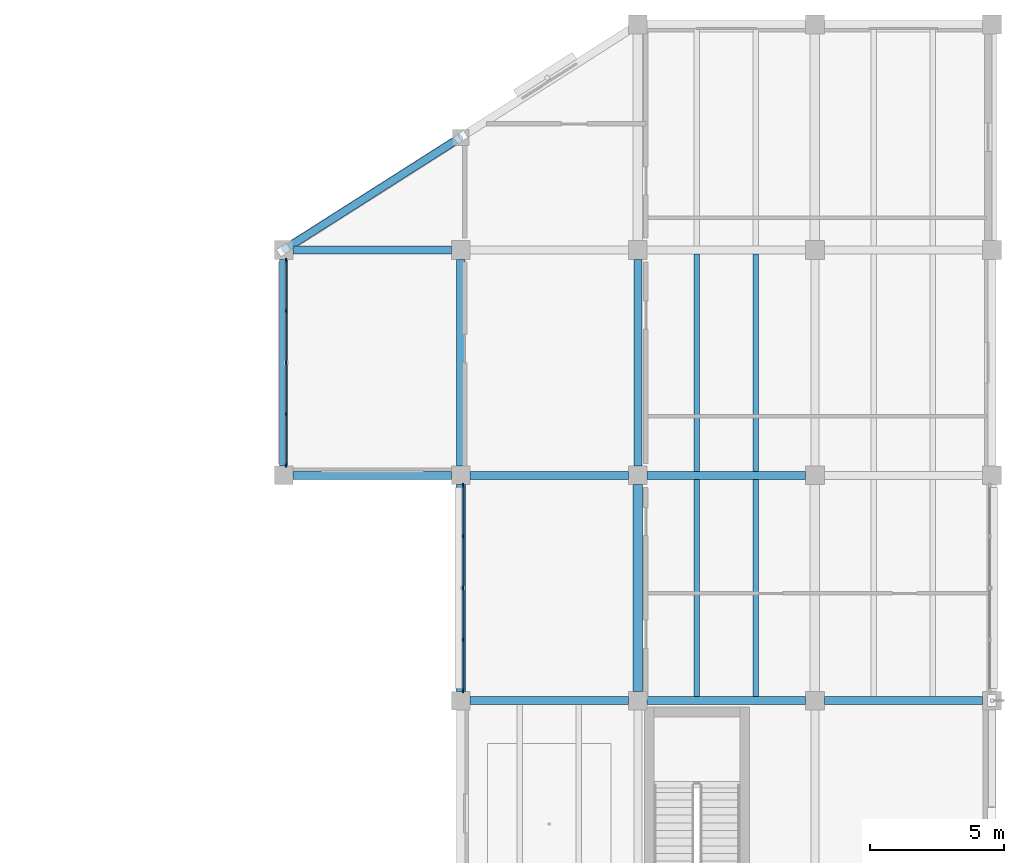
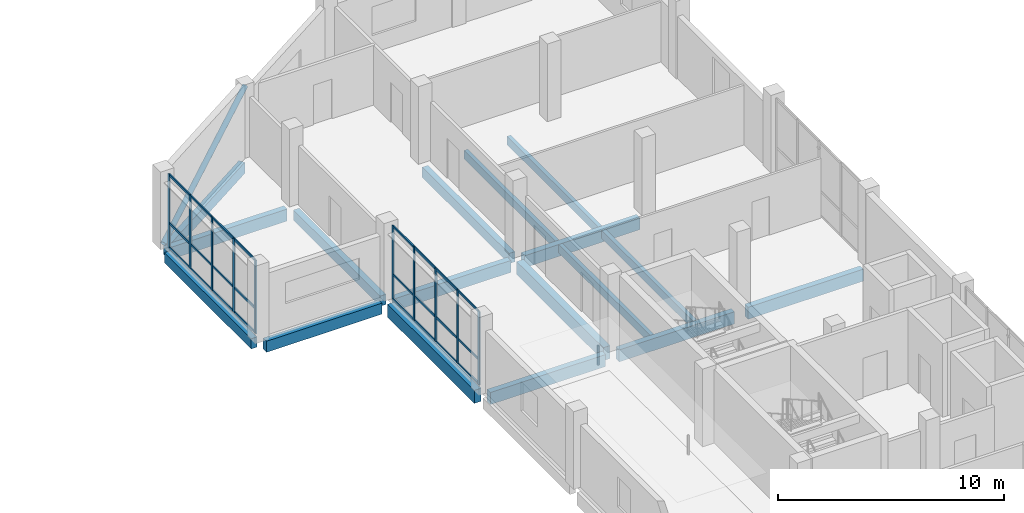
# One storey, part 4 of 19: 35 members, 17 beams, 2 elements without a shape of their own.
"""IFC4 building model written with IfcOpenShell, lengths in metres."""

from ifc_helpers import new_model, si_unit, direction, frame, origin, origin_2d, place, context, subcontext, project, spatial, rectangle, hollow_circle, extrude, material, material_profile, profile_set, type_object, element, aggregate, save


model = new_model("IFC4")

# Units and contexts
model_context = context("Model", 3, precision=1e-05, world=origin(), true_north=direction((0.0, 1.0)))
body_context = subcontext(model_context, "Body", "Model", "MODEL_VIEW")
ifc_project = project(units=[si_unit("LENGTHUNIT", "METRE"), si_unit("AREAUNIT", "SQUARE_METRE"), si_unit("VOLUMEUNIT", "CUBIC_METRE"), si_unit("PLANEANGLEUNIT", "RADIAN"), si_unit("MASSUNIT", "GRAM", prefix="KILO")], contexts=[model_context])

# Site, building, storey
site_placement = place(None, origin())
site = spatial("IfcSite", under=ifc_project, at=site_placement, CompositionType="ELEMENT")
building_placement = place(site_placement, origin())
building = spatial("IfcBuilding", under=site, at=building_placement, Name="Qaldarim Faculty of Natural and Applied Sciences", CompositionType="ELEMENT")
storey_placement = place(building_placement, frame((0.0, 0.0, 27.0)))
storey = spatial("IfcBuildingStorey", under=building, at=storey_placement, Name="L06", CompositionType="ELEMENT", Elevation=27.0)

# Beams
ifc_material_1 = material(Name="Concrete C40/50", Category="concrete")
ifc_material_profile_1 = material_profile(ifc_material_1, rectangle(XDim=0.300048828125, YDim=0.550048828125, at=origin_2d()), Name="RC-B300x550")
ifc_profile_set_1 = profile_set([ifc_material_profile_1], Name="Concrete C40/50")
beam_type_1 = type_object("IfcBeamType", Name="FloorBeam-RC300x550", PredefinedType="BEAM", material=ifc_profile_set_1)
for number, where, z_axis, x_axis, name in (
    (1, (151.800048828125, 42.35009765625, -0.4951171875), (0.0, 1.0, 0.0), (-1.0, 0.0, 0.0), "Beam RC-B300x550 L05 X24/Y06-Y07"),
    (2, (158.39990234375, 42.35009765625, -0.4951171875), (0.0, 1.0, 0.0), (-1.0, 0.0, 0.0), "Beam RC-B300x550 L05 X25/Y06-Y07"),
    (3, (165.0, 42.35009765625, -0.4951171875), (0.0, 1.0, 0.0), (-1.0, 0.0, 0.0), "Beam RC-B300x550 L05 X26/Y06-Y07"),
):
    element("IfcBeam", number, at=place(storey_placement, frame(where, z_axis=z_axis, x_axis=x_axis)), inside=storey, type_object=beam_type_1, Name=name, PredefinedType="BEAM", context=body_context, shape_type="SweptSolid", body=[
        extrude(rectangle(XDim=0.300048828125, YDim=0.550048828125, at=origin_2d()), origin(), (0.0, 0.0, 1.0), 7.699951171875),
    ])
ifc_material_profile_2 = material_profile(ifc_material_1, rectangle(XDim=0.199951171875, YDim=0.449951171875, at=origin_2d()), Name="RC-J200x450")
ifc_profile_set_2 = profile_set([ifc_material_profile_2], Name="Concrete C40/50")
beam_type_2 = type_object("IfcBeamType", Name="LabJoist-RC200x450", PredefinedType="JOIST", material=ifc_profile_set_2)
for number, where, z_axis, x_axis, name in (
    (4, (167.199951171875, 33.75, -0.445068359375), (0.0, 1.0, 0.0), (-1.0, 0.0, 0.0), "Laboratory joist L05 bay X26Y05-1"),
    (5, (169.39990234375, 33.75, -0.445068359375), (0.0, 1.0, 0.0), (-1.0, 0.0, 0.0), "Laboratory joist L05 bay X26Y05-2"),
    (6, (167.199951171875, 42.14990234375, -0.445068359375), (0.0, 1.0, 0.0), (-1.0, 0.0, 0.0), "Laboratory joist L05 bay X26Y06-1"),
    (7, (169.39990234375, 42.14990234375, -0.445068359375), (0.0, 1.0, 0.0), (-1.0, 0.0, 0.0), "Laboratory joist L05 bay X26Y06-2"),
):
    element("IfcBeam", number, at=place(storey_placement, frame(where, z_axis=z_axis, x_axis=x_axis)), inside=storey, type_object=beam_type_2, Name=name, PredefinedType="JOIST", context=body_context, shape_type="SweptSolid", body=[
        extrude(rectangle(XDim=0.199951171875, YDim=0.449951171875, at=origin_2d()), origin(), (0.0, 0.0, 1.0), 8.10009765625),
    ])

# Curtain wall, members
ifc_material_2 = material(Name="Anodised aluminium AW-6063", Category="aluminium")
curtain_wall_type = type_object("IfcCurtainWallType", Name="CurtainWallSystem-M1800", PredefinedType="USERDEFINED", material=ifc_material_2)
curtain_wall_1_placement = place(storey_placement, origin())
curtain_wall_1 = element("IfcCurtainWall", 8, at=curtain_wall_1_placement, inside=storey, type_object=curtain_wall_type, Name="Curtain wall CW-L06-W-X24Y06", ObjectType="UNITISED FACADE", PredefinedType="USERDEFINED")
ifc_material_profile_3 = material_profile(ifc_material_2, rectangle(XDim=0.06005859375, YDim=0.14990234375, at=origin_2d()), Name="ALU-M60x150")
ifc_profile_set_3 = profile_set([ifc_material_profile_3], Name="Anodised aluminium AW-6063")
member_type_1 = type_object("IfcMemberType", Name="Mullion-ALU60x150", PredefinedType="MULLION", material=ifc_profile_set_3)
member_1_placement = place(storey_placement, frame((151.8798828125, 50.02490234375, 0.0), z_axis=(0.0, 0.0, 1.0), x_axis=(1.0, 0.0, 0.0)))
member_1 = element("IfcMember", 9, at=member_1_placement, type_object=member_type_1, Name="Mullion 1 of CW-L06-W-X24Y06", PredefinedType="MULLION", context=body_context, shape_type="SweptSolid", body=[
    extrude(rectangle(XDim=0.06005859375, YDim=0.14990234375, at=origin_2d()), origin(), (0.0, 0.0, 1.0), 3.97998046875),
])
member_2_placement = place(storey_placement, frame((151.8798828125, 48.12744140625, 0.0), z_axis=(0.0, 0.0, 1.0), x_axis=(1.0, 0.0, 0.0)))
member_2 = element("IfcMember", 10, at=member_2_placement, type_object=member_type_1, Name="Mullion 2 of CW-L06-W-X24Y06", PredefinedType="MULLION", context=body_context, shape_type="SweptSolid", body=[
    extrude(rectangle(XDim=0.06005859375, YDim=0.14990234375, at=origin_2d()), origin(), (0.0, 0.0, 1.0), 3.97998046875),
])
member_3_placement = place(storey_placement, frame((151.8798828125, 46.199951171875, 0.0), z_axis=(0.0, 0.0, 1.0), x_axis=(1.0, 0.0, 0.0)))
member_3 = element("IfcMember", 11, at=member_3_placement, type_object=member_type_1, Name="Mullion 3 of CW-L06-W-X24Y06", PredefinedType="MULLION", context=body_context, shape_type="SweptSolid", body=[
    extrude(rectangle(XDim=0.06005859375, YDim=0.14990234375, at=origin_2d()), origin(), (0.0, 0.0, 1.0), 3.97998046875),
])
member_4_placement = place(storey_placement, frame((151.8798828125, 44.2724609375, 0.0), z_axis=(0.0, 0.0, 1.0), x_axis=(1.0, 0.0, 0.0)))
member_4 = element("IfcMember", 12, at=member_4_placement, type_object=member_type_1, Name="Mullion 4 of CW-L06-W-X24Y06", PredefinedType="MULLION", context=body_context, shape_type="SweptSolid", body=[
    extrude(rectangle(XDim=0.06005859375, YDim=0.14990234375, at=origin_2d()), origin(), (0.0, 0.0, 1.0), 3.97998046875),
])
member_5_placement = place(storey_placement, frame((151.8798828125, 42.375, 0.0), z_axis=(0.0, 0.0, 1.0), x_axis=(1.0, 0.0, 0.0)))
member_5 = element("IfcMember", 13, at=member_5_placement, type_object=member_type_1, Name="Mullion 5 of CW-L06-W-X24Y06", PredefinedType="MULLION", context=body_context, shape_type="SweptSolid", body=[
    extrude(rectangle(XDim=0.06005859375, YDim=0.14990234375, at=origin_2d()), origin(), (0.0, 0.0, 1.0), 3.97998046875),
])

curtain_wall_2_placement = place(storey_placement, origin())
curtain_wall_2 = element("IfcCurtainWall", 14, at=curtain_wall_2_placement, inside=storey, type_object=curtain_wall_type, Name="Curtain wall CW-L06-W-X25Y05", ObjectType="UNITISED FACADE", PredefinedType="USERDEFINED")
member_6_placement = place(storey_placement, frame((158.47998046875, 41.625, 0.0), z_axis=(0.0, 0.0, 1.0), x_axis=(1.0, 0.0, 0.0)))
member_6 = element("IfcMember", 15, at=member_6_placement, type_object=member_type_1, Name="Mullion 1 of CW-L06-W-X25Y05", PredefinedType="MULLION", context=body_context, shape_type="SweptSolid", body=[
    extrude(rectangle(XDim=0.06005859375, YDim=0.14990234375, at=origin_2d()), origin(), (0.0, 0.0, 1.0), 3.97998046875),
])
member_7_placement = place(storey_placement, frame((158.47998046875, 39.7275390625, 0.0), z_axis=(0.0, 0.0, 1.0), x_axis=(1.0, 0.0, 0.0)))
member_7 = element("IfcMember", 16, at=member_7_placement, type_object=member_type_1, Name="Mullion 2 of CW-L06-W-X25Y05", PredefinedType="MULLION", context=body_context, shape_type="SweptSolid", body=[
    extrude(rectangle(XDim=0.06005859375, YDim=0.14990234375, at=origin_2d()), origin(), (0.0, 0.0, 1.0), 3.97998046875),
])
member_8_placement = place(storey_placement, frame((158.47998046875, 37.800048828125, 0.0), z_axis=(0.0, 0.0, 1.0), x_axis=(1.0, 0.0, 0.0)))
member_8 = element("IfcMember", 17, at=member_8_placement, type_object=member_type_1, Name="Mullion 3 of CW-L06-W-X25Y05", PredefinedType="MULLION", context=body_context, shape_type="SweptSolid", body=[
    extrude(rectangle(XDim=0.06005859375, YDim=0.14990234375, at=origin_2d()), origin(), (0.0, 0.0, 1.0), 3.97998046875),
])
member_9_placement = place(storey_placement, frame((158.47998046875, 35.87255859375, 0.0), z_axis=(0.0, 0.0, 1.0), x_axis=(1.0, 0.0, 0.0)))
member_9 = element("IfcMember", 18, at=member_9_placement, type_object=member_type_1, Name="Mullion 4 of CW-L06-W-X25Y05", PredefinedType="MULLION", context=body_context, shape_type="SweptSolid", body=[
    extrude(rectangle(XDim=0.06005859375, YDim=0.14990234375, at=origin_2d()), origin(), (0.0, 0.0, 1.0), 3.97998046875),
])
member_10_placement = place(storey_placement, frame((158.47998046875, 33.97509765625, 0.0), z_axis=(0.0, 0.0, 1.0), x_axis=(1.0, 0.0, 0.0)))
member_10 = element("IfcMember", 19, at=member_10_placement, type_object=member_type_1, Name="Mullion 5 of CW-L06-W-X25Y05", PredefinedType="MULLION", context=body_context, shape_type="SweptSolid", body=[
    extrude(rectangle(XDim=0.06005859375, YDim=0.14990234375, at=origin_2d()), origin(), (0.0, 0.0, 1.0), 3.97998046875),
])

# Member
ifc_material_3 = material(Name="Structural steel S355", Category="steel")
ifc_material_profile_4 = material_profile(ifc_material_3, hollow_circle(Radius=0.136474609375, WallThickness=0.01611328125, at=origin_2d()), Name="CHS 273.0x16.0")
ifc_profile_set_4 = profile_set([ifc_material_profile_4], Name="Structural steel S355")
member_type_2 = type_object("IfcMemberType", Name="PortalBrace-CHS273x16", PredefinedType="BRACE", material=ifc_profile_set_4)
member_11_placement = place(storey_placement, frame((151.800048828125, 50.39990234375, 0.0), z_axis=(0.763401641774, 0.485834418862, 0.42565578909), x_axis=(-0.536901743335, 0.843644781886, 0.0)))
element("IfcMember", 20, at=member_11_placement, inside=storey, type_object=member_type_2, Name="Oblique NW chamfer diagrid brace L06", PredefinedType="BRACE", context=body_context, shape_type="SweptSolid", body=[
    extrude(hollow_circle(Radius=0.136474609375, WallThickness=0.01611328125, at=origin_2d()), origin(), (0.0, 0.0, 1.0), 8.645263671875),
])

# Beams
ifc_material_profile_5 = material_profile(ifc_material_1, rectangle(XDim=0.300048828125, YDim=0.64990234375, at=origin_2d()), Name="RC-B300x650")
ifc_profile_set_5 = profile_set([ifc_material_profile_5], Name="Concrete C40/50")
beam_type_3 = type_object("IfcBeamType", Name="PrimaryBeam-RC300x650", PredefinedType="BEAM", material=ifc_profile_set_5)
for number, where, z_axis, x_axis, name in (
    (21, (158.75, 33.60009765625, -0.544921875), (1.0, 0.0, 0.0), (0.0, 1.0, 0.0), "Beam RC-B300x650 L05 X25-X26/Y05"),
    (22, (165.35009765625, 33.60009765625, -0.544921875), (1.0, 0.0, 0.0), (0.0, 1.0, 0.0), "Beam RC-B300x650 L05 X26-X27/Y05"),
):
    element("IfcBeam", number, at=place(storey_placement, frame(where, z_axis=z_axis, x_axis=x_axis)), inside=storey, type_object=beam_type_3, Name=name, PredefinedType="BEAM", context=body_context, shape_type="SweptSolid", body=[
        extrude(rectangle(XDim=0.300048828125, YDim=0.64990234375, at=origin_2d()), origin(), (0.0, 0.0, 1.0), 5.89990234375),
    ])
beam_1_placement = place(storey_placement, frame((171.949951171875, 33.60009765625, -0.544921875), z_axis=(1.0, 0.0, 0.0), x_axis=(0.0, 1.0, 0.0)))
element("IfcBeam", 23, at=beam_1_placement, inside=storey, type_object=beam_type_3, Name="Beam RC-B300x650 L05 X27-X28/Y05", PredefinedType="BEAM", context=body_context, shape_type="SweptSolid", body=[
    extrude(rectangle(XDim=0.300048828125, YDim=0.64990234375, at=origin_2d()), origin(), (0.0, 0.0, 1.0), 5.900146484375),
])
for number, where, z_axis, x_axis, name in (
    (24, (158.75, 42.0, -0.544921875), (1.0, 0.0, 0.0), (0.0, 1.0, 0.0), "Beam RC-B300x650 L05 X25-X26/Y06"),
    (25, (165.35009765625, 42.0, -0.544921875), (1.0, 0.0, 0.0), (0.0, 1.0, 0.0), "Beam RC-B300x650 L05 X26-X27/Y06"),
):
    element("IfcBeam", number, at=place(storey_placement, frame(where, z_axis=z_axis, x_axis=x_axis)), inside=storey, type_object=beam_type_3, Name=name, PredefinedType="BEAM", context=body_context, shape_type="SweptSolid", body=[
        extrude(rectangle(XDim=0.300048828125, YDim=0.64990234375, at=origin_2d()), origin(), (0.0, 0.0, 1.0), 5.89990234375),
    ])
beam_2_placement = place(storey_placement, frame((152.14990234375, 50.39990234375, -0.544921875), z_axis=(1.0, 0.0, 0.0), x_axis=(0.0, 1.0, 0.0)))
element("IfcBeam", 26, at=beam_2_placement, inside=storey, type_object=beam_type_3, Name="Beam RC-B300x650 L05 X24-X25/Y07", PredefinedType="BEAM", context=body_context, shape_type="SweptSolid", body=[
    extrude(rectangle(XDim=0.300048828125, YDim=0.64990234375, at=origin_2d()), origin(), (0.0, 0.0, 1.0), 5.900146484375),
])
ifc_material_profile_6 = material_profile(ifc_material_1, rectangle(XDim=0.35009765625, YDim=0.699951171875, at=origin_2d()), Name="RC-B350x700")
ifc_profile_set_6 = profile_set([ifc_material_profile_6], Name="Concrete C40/50")
beam_type_4 = type_object("IfcBeamType", Name="PrimaryGirder-RC350x700", PredefinedType="BEAM", material=ifc_profile_set_6)
for number, where, z_axis, x_axis, name in (
    (27, (158.39990234375, 33.949951171875, -0.570068359375), (0.0, 1.0, 0.0), (-1.0, 0.0, 0.0), "Beam RC-B350x700 L05 X25/Y05-Y06"),
    (28, (165.0, 33.949951171875, -0.570068359375), (0.0, 1.0, 0.0), (-1.0, 0.0, 0.0), "Beam RC-B350x700 L05 X26/Y05-Y06"),
):
    element("IfcBeam", number, at=place(storey_placement, frame(where, z_axis=z_axis, x_axis=x_axis)), inside=storey, type_object=beam_type_4, Name=name, PredefinedType="BEAM", context=body_context, shape_type="SweptSolid", body=[
        extrude(rectangle(XDim=0.35009765625, YDim=0.699951171875, at=origin_2d()), origin(), (0.0, 0.0, 1.0), 7.699951171875),
    ])
ifc_material_4 = material(Name="Precast concrete C40/50", Category="concrete")
ifc_material_profile_7 = material_profile(ifc_material_4, rectangle(XDim=0.300048828125, YDim=0.60009765625, at=origin_2d()), Name="RC-SP300x600")
ifc_profile_set_7 = profile_set([ifc_material_profile_7], Name="Precast concrete C40/50")
beam_type_5 = type_object("IfcBeamType", Name="SpandrelBeam-RC300x600", PredefinedType="SPANDREL", material=ifc_profile_set_7)
beam_3_placement = place(storey_placement, frame((152.14990234375, 42.0, -0.52001953125), z_axis=(1.0, 0.0, 0.0), x_axis=(0.0, 1.0, 0.0)))
element("IfcBeam", 29, at=beam_3_placement, inside=storey, type_object=beam_type_5, Name="Beam RC-SP300x600 L05 X24-X25/Y06", PredefinedType="SPANDREL", context=body_context, shape_type="SweptSolid", body=[
    extrude(rectangle(XDim=0.300048828125, YDim=0.60009765625, at=origin_2d()), origin(), (0.0, 0.0, 1.0), 5.900146484375),
])
beam_4_placement = place(storey_placement, frame((152.050048828125, 50.56005859375, -0.52001953125), z_axis=(0.843776886751, 0.536694107835, 0.0), x_axis=(-0.536694107835, 0.843776886751, 0.0)))
element("IfcBeam", 30, at=beam_4_placement, inside=storey, type_object=beam_type_5, Name="Oblique NW chamfer spandrel L05 1", PredefinedType="SPANDREL", context=body_context, shape_type="SweptSolid", body=[
    extrude(rectangle(XDim=0.300048828125, YDim=0.60009765625, at=origin_2d()), origin(), (0.0, 0.0, 1.0), 7.229248046875),
])

# Member
ifc_material_profile_8 = material_profile(ifc_material_2, rectangle(XDim=0.06005859375, YDim=0.1201171875, at=origin_2d()), Name="ALU-T60x120")
ifc_profile_set_8 = profile_set([ifc_material_profile_8], Name="Anodised aluminium AW-6063")
member_type_3 = type_object("IfcMemberType", Name="Transom-ALU60x120", PredefinedType="USERDEFINED", material=ifc_profile_set_8)
member_12_placement = place(storey_placement, frame((151.8798828125, 49.9951171875, 0.030029296875), z_axis=(0.0, -1.0, 0.0), x_axis=(1.0, 0.0, 0.0)))
member_12 = element("IfcMember", 31, at=member_12_placement, type_object=member_type_3, Name="Transom 1-1 of CW-L06-W-X24Y06", ObjectType="TRANSOM", PredefinedType="USERDEFINED", context=body_context, shape_type="SweptSolid", body=[
    extrude(rectangle(XDim=0.06005859375, YDim=0.1201171875, at=origin_2d()), origin(), (0.0, 0.0, 1.0), 1.837646484375),
])

member_13_placement = place(storey_placement, frame((151.8798828125, 49.9951171875, 1.35009765625), z_axis=(0.0, -1.0, 0.0), x_axis=(1.0, 0.0, 0.0)))
member_13 = element("IfcMember", 32, at=member_13_placement, type_object=member_type_3, Name="Transom 1-2 of CW-L06-W-X24Y06", ObjectType="TRANSOM", PredefinedType="USERDEFINED", context=body_context, shape_type="SweptSolid", body=[
    extrude(rectangle(XDim=0.06005859375, YDim=0.1201171875, at=origin_2d()), origin(), (0.0, 0.0, 1.0), 1.837646484375),
])

member_14_placement = place(storey_placement, frame((151.8798828125, 49.9951171875, 3.949951171875), z_axis=(0.0, -1.0, 0.0), x_axis=(1.0, 0.0, 0.0)))
member_14 = element("IfcMember", 33, at=member_14_placement, type_object=member_type_3, Name="Transom 1-3 of CW-L06-W-X24Y06", ObjectType="TRANSOM", PredefinedType="USERDEFINED", context=body_context, shape_type="SweptSolid", body=[
    extrude(rectangle(XDim=0.06005859375, YDim=0.1201171875, at=origin_2d()), origin(), (0.0, 0.0, 1.0), 1.837646484375),
])

member_15_placement = place(storey_placement, frame((151.8798828125, 48.097412109375, 0.030029296875), z_axis=(0.0, -1.0, 0.0), x_axis=(1.0, 0.0, 0.0)))
member_15 = element("IfcMember", 34, at=member_15_placement, type_object=member_type_3, Name="Transom 2-1 of CW-L06-W-X24Y06", ObjectType="TRANSOM", PredefinedType="USERDEFINED", context=body_context, shape_type="SweptSolid", body=[
    extrude(rectangle(XDim=0.06005859375, YDim=0.1201171875, at=origin_2d()), origin(), (0.0, 0.0, 1.0), 1.867431640625),
])

member_16_placement = place(storey_placement, frame((151.8798828125, 48.097412109375, 1.35009765625), z_axis=(0.0, -1.0, 0.0), x_axis=(1.0, 0.0, 0.0)))
member_16 = element("IfcMember", 35, at=member_16_placement, type_object=member_type_3, Name="Transom 2-2 of CW-L06-W-X24Y06", ObjectType="TRANSOM", PredefinedType="USERDEFINED", context=body_context, shape_type="SweptSolid", body=[
    extrude(rectangle(XDim=0.06005859375, YDim=0.1201171875, at=origin_2d()), origin(), (0.0, 0.0, 1.0), 1.867431640625),
])

member_17_placement = place(storey_placement, frame((151.8798828125, 48.097412109375, 3.949951171875), z_axis=(0.0, -1.0, 0.0), x_axis=(1.0, 0.0, 0.0)))
member_17 = element("IfcMember", 36, at=member_17_placement, type_object=member_type_3, Name="Transom 2-3 of CW-L06-W-X24Y06", ObjectType="TRANSOM", PredefinedType="USERDEFINED", context=body_context, shape_type="SweptSolid", body=[
    extrude(rectangle(XDim=0.06005859375, YDim=0.1201171875, at=origin_2d()), origin(), (0.0, 0.0, 1.0), 1.867431640625),
])

member_18_placement = place(storey_placement, frame((151.8798828125, 46.169921875, 0.030029296875), z_axis=(0.0, -1.0, 0.0), x_axis=(1.0, 0.0, 0.0)))
member_18 = element("IfcMember", 37, at=member_18_placement, type_object=member_type_3, Name="Transom 3-1 of CW-L06-W-X24Y06", ObjectType="TRANSOM", PredefinedType="USERDEFINED", context=body_context, shape_type="SweptSolid", body=[
    extrude(rectangle(XDim=0.06005859375, YDim=0.1201171875, at=origin_2d()), origin(), (0.0, 0.0, 1.0), 1.867431640625),
])

member_19_placement = place(storey_placement, frame((151.8798828125, 46.169921875, 1.35009765625), z_axis=(0.0, -1.0, 0.0), x_axis=(1.0, 0.0, 0.0)))
member_19 = element("IfcMember", 38, at=member_19_placement, type_object=member_type_3, Name="Transom 3-2 of CW-L06-W-X24Y06", ObjectType="TRANSOM", PredefinedType="USERDEFINED", context=body_context, shape_type="SweptSolid", body=[
    extrude(rectangle(XDim=0.06005859375, YDim=0.1201171875, at=origin_2d()), origin(), (0.0, 0.0, 1.0), 1.867431640625),
])

member_20_placement = place(storey_placement, frame((151.8798828125, 46.169921875, 3.949951171875), z_axis=(0.0, -1.0, 0.0), x_axis=(1.0, 0.0, 0.0)))
member_20 = element("IfcMember", 39, at=member_20_placement, type_object=member_type_3, Name="Transom 3-3 of CW-L06-W-X24Y06", ObjectType="TRANSOM", PredefinedType="USERDEFINED", context=body_context, shape_type="SweptSolid", body=[
    extrude(rectangle(XDim=0.06005859375, YDim=0.1201171875, at=origin_2d()), origin(), (0.0, 0.0, 1.0), 1.867431640625),
])

member_21_placement = place(storey_placement, frame((151.8798828125, 44.242431640625, 0.030029296875), z_axis=(0.0, -1.0, 0.0), x_axis=(1.0, 0.0, 0.0)))
member_21 = element("IfcMember", 40, at=member_21_placement, type_object=member_type_3, Name="Transom 4-1 of CW-L06-W-X24Y06", ObjectType="TRANSOM", PredefinedType="USERDEFINED", context=body_context, shape_type="SweptSolid", body=[
    extrude(rectangle(XDim=0.06005859375, YDim=0.1201171875, at=origin_2d()), origin(), (0.0, 0.0, 1.0), 1.83740234375),
])

member_22_placement = place(storey_placement, frame((151.8798828125, 44.242431640625, 1.35009765625), z_axis=(0.0, -1.0, 0.0), x_axis=(1.0, 0.0, 0.0)))
member_22 = element("IfcMember", 41, at=member_22_placement, type_object=member_type_3, Name="Transom 4-2 of CW-L06-W-X24Y06", ObjectType="TRANSOM", PredefinedType="USERDEFINED", context=body_context, shape_type="SweptSolid", body=[
    extrude(rectangle(XDim=0.06005859375, YDim=0.1201171875, at=origin_2d()), origin(), (0.0, 0.0, 1.0), 1.83740234375),
])

member_23_placement = place(storey_placement, frame((151.8798828125, 44.242431640625, 3.949951171875), z_axis=(0.0, -1.0, 0.0), x_axis=(1.0, 0.0, 0.0)))
member_23 = element("IfcMember", 42, at=member_23_placement, type_object=member_type_3, Name="Transom 4-3 of CW-L06-W-X24Y06", ObjectType="TRANSOM", PredefinedType="USERDEFINED", context=body_context, shape_type="SweptSolid", body=[
    extrude(rectangle(XDim=0.06005859375, YDim=0.1201171875, at=origin_2d()), origin(), (0.0, 0.0, 1.0), 1.83740234375),
])

aggregate(curtain_wall_1, [member_1, member_2, member_3, member_4, member_5, member_12, member_13, member_14, member_15, member_16, member_17, member_18, member_19, member_20, member_21, member_22, member_23])

member_24_placement = place(storey_placement, frame((158.47998046875, 41.594970703125, 0.030029296875), z_axis=(0.0, -1.0, 0.0), x_axis=(1.0, 0.0, 0.0)))
member_24 = element("IfcMember", 43, at=member_24_placement, type_object=member_type_3, Name="Transom 1-1 of CW-L06-W-X25Y05", ObjectType="TRANSOM", PredefinedType="USERDEFINED", context=body_context, shape_type="SweptSolid", body=[
    extrude(rectangle(XDim=0.06005859375, YDim=0.1201171875, at=origin_2d()), origin(), (0.0, 0.0, 1.0), 1.83740234375),
])

member_25_placement = place(storey_placement, frame((158.47998046875, 41.594970703125, 1.35009765625), z_axis=(0.0, -1.0, 0.0), x_axis=(1.0, 0.0, 0.0)))
member_25 = element("IfcMember", 44, at=member_25_placement, type_object=member_type_3, Name="Transom 1-2 of CW-L06-W-X25Y05", ObjectType="TRANSOM", PredefinedType="USERDEFINED", context=body_context, shape_type="SweptSolid", body=[
    extrude(rectangle(XDim=0.06005859375, YDim=0.1201171875, at=origin_2d()), origin(), (0.0, 0.0, 1.0), 1.83740234375),
])

member_26_placement = place(storey_placement, frame((158.47998046875, 41.594970703125, 3.949951171875), z_axis=(0.0, -1.0, 0.0), x_axis=(1.0, 0.0, 0.0)))
member_26 = element("IfcMember", 45, at=member_26_placement, type_object=member_type_3, Name="Transom 1-3 of CW-L06-W-X25Y05", ObjectType="TRANSOM", PredefinedType="USERDEFINED", context=body_context, shape_type="SweptSolid", body=[
    extrude(rectangle(XDim=0.06005859375, YDim=0.1201171875, at=origin_2d()), origin(), (0.0, 0.0, 1.0), 1.83740234375),
])

member_27_placement = place(storey_placement, frame((158.47998046875, 39.697509765625, 0.030029296875), z_axis=(0.0, -1.0, 0.0), x_axis=(1.0, 0.0, 0.0)))
member_27 = element("IfcMember", 46, at=member_27_placement, type_object=member_type_3, Name="Transom 2-1 of CW-L06-W-X25Y05", ObjectType="TRANSOM", PredefinedType="USERDEFINED", context=body_context, shape_type="SweptSolid", body=[
    extrude(rectangle(XDim=0.06005859375, YDim=0.1201171875, at=origin_2d()), origin(), (0.0, 0.0, 1.0), 1.867431640625),
])

member_28_placement = place(storey_placement, frame((158.47998046875, 39.697509765625, 1.35009765625), z_axis=(0.0, -1.0, 0.0), x_axis=(1.0, 0.0, 0.0)))
member_28 = element("IfcMember", 47, at=member_28_placement, type_object=member_type_3, Name="Transom 2-2 of CW-L06-W-X25Y05", ObjectType="TRANSOM", PredefinedType="USERDEFINED", context=body_context, shape_type="SweptSolid", body=[
    extrude(rectangle(XDim=0.06005859375, YDim=0.1201171875, at=origin_2d()), origin(), (0.0, 0.0, 1.0), 1.867431640625),
])

member_29_placement = place(storey_placement, frame((158.47998046875, 39.697509765625, 3.949951171875), z_axis=(0.0, -1.0, 0.0), x_axis=(1.0, 0.0, 0.0)))
member_29 = element("IfcMember", 48, at=member_29_placement, type_object=member_type_3, Name="Transom 2-3 of CW-L06-W-X25Y05", ObjectType="TRANSOM", PredefinedType="USERDEFINED", context=body_context, shape_type="SweptSolid", body=[
    extrude(rectangle(XDim=0.06005859375, YDim=0.1201171875, at=origin_2d()), origin(), (0.0, 0.0, 1.0), 1.867431640625),
])

member_30_placement = place(storey_placement, frame((158.47998046875, 37.77001953125, 0.030029296875), z_axis=(0.0, -1.0, 0.0), x_axis=(1.0, 0.0, 0.0)))
member_30 = element("IfcMember", 49, at=member_30_placement, type_object=member_type_3, Name="Transom 3-1 of CW-L06-W-X25Y05", ObjectType="TRANSOM", PredefinedType="USERDEFINED", context=body_context, shape_type="SweptSolid", body=[
    extrude(rectangle(XDim=0.06005859375, YDim=0.1201171875, at=origin_2d()), origin(), (0.0, 0.0, 1.0), 1.867431640625),
])

member_31_placement = place(storey_placement, frame((158.47998046875, 37.77001953125, 1.35009765625), z_axis=(0.0, -1.0, 0.0), x_axis=(1.0, 0.0, 0.0)))
member_31 = element("IfcMember", 50, at=member_31_placement, type_object=member_type_3, Name="Transom 3-2 of CW-L06-W-X25Y05", ObjectType="TRANSOM", PredefinedType="USERDEFINED", context=body_context, shape_type="SweptSolid", body=[
    extrude(rectangle(XDim=0.06005859375, YDim=0.1201171875, at=origin_2d()), origin(), (0.0, 0.0, 1.0), 1.867431640625),
])

member_32_placement = place(storey_placement, frame((158.47998046875, 37.77001953125, 3.949951171875), z_axis=(0.0, -1.0, 0.0), x_axis=(1.0, 0.0, 0.0)))
member_32 = element("IfcMember", 51, at=member_32_placement, type_object=member_type_3, Name="Transom 3-3 of CW-L06-W-X25Y05", ObjectType="TRANSOM", PredefinedType="USERDEFINED", context=body_context, shape_type="SweptSolid", body=[
    extrude(rectangle(XDim=0.06005859375, YDim=0.1201171875, at=origin_2d()), origin(), (0.0, 0.0, 1.0), 1.867431640625),
])

member_33_placement = place(storey_placement, frame((158.47998046875, 35.842529296875, 0.030029296875), z_axis=(0.0, -1.0, 0.0), x_axis=(1.0, 0.0, 0.0)))
member_33 = element("IfcMember", 52, at=member_33_placement, type_object=member_type_3, Name="Transom 4-1 of CW-L06-W-X25Y05", ObjectType="TRANSOM", PredefinedType="USERDEFINED", context=body_context, shape_type="SweptSolid", body=[
    extrude(rectangle(XDim=0.06005859375, YDim=0.1201171875, at=origin_2d()), origin(), (0.0, 0.0, 1.0), 1.837646484375),
])

member_34_placement = place(storey_placement, frame((158.47998046875, 35.842529296875, 1.35009765625), z_axis=(0.0, -1.0, 0.0), x_axis=(1.0, 0.0, 0.0)))
member_34 = element("IfcMember", 53, at=member_34_placement, type_object=member_type_3, Name="Transom 4-2 of CW-L06-W-X25Y05", ObjectType="TRANSOM", PredefinedType="USERDEFINED", context=body_context, shape_type="SweptSolid", body=[
    extrude(rectangle(XDim=0.06005859375, YDim=0.1201171875, at=origin_2d()), origin(), (0.0, 0.0, 1.0), 1.837646484375),
])

member_35_placement = place(storey_placement, frame((158.47998046875, 35.842529296875, 3.949951171875), z_axis=(0.0, -1.0, 0.0), x_axis=(1.0, 0.0, 0.0)))
member_35 = element("IfcMember", 54, at=member_35_placement, type_object=member_type_3, Name="Transom 4-3 of CW-L06-W-X25Y05", ObjectType="TRANSOM", PredefinedType="USERDEFINED", context=body_context, shape_type="SweptSolid", body=[
    extrude(rectangle(XDim=0.06005859375, YDim=0.1201171875, at=origin_2d()), origin(), (0.0, 0.0, 1.0), 1.837646484375),
])

aggregate(curtain_wall_2, [member_6, member_7, member_8, member_9, member_10, member_24, member_25, member_26, member_27, member_28, member_29, member_30, member_31, member_32, member_33, member_34, member_35])

save(model, "model.ifc")
